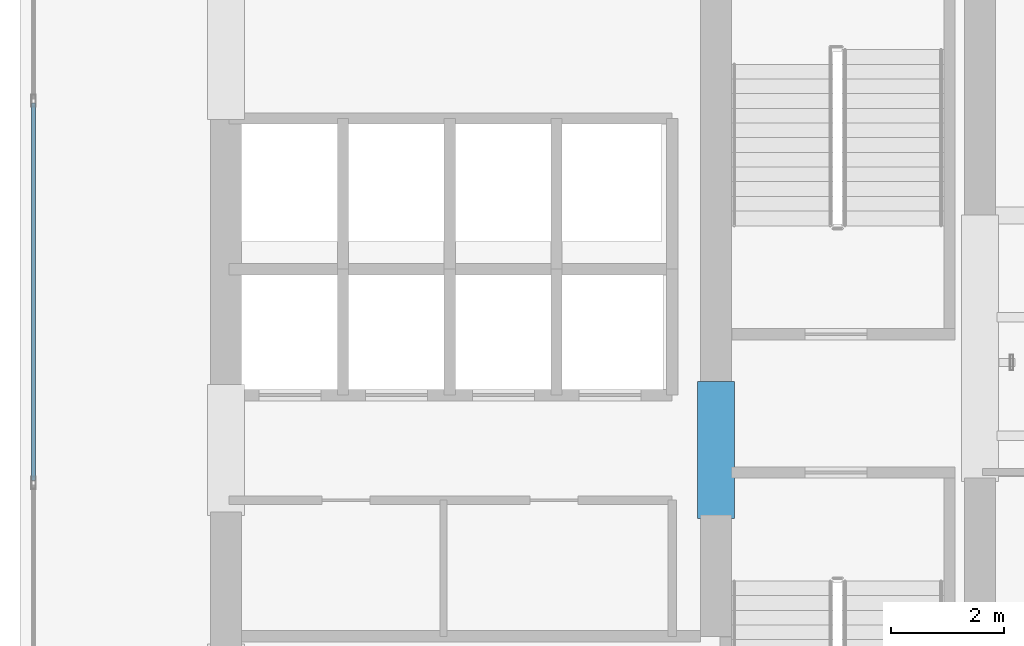
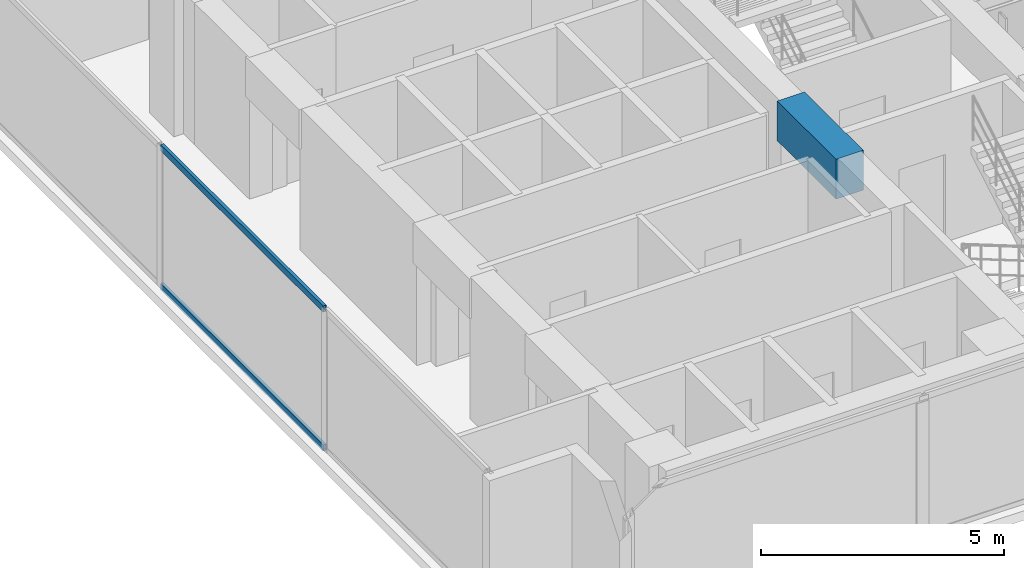
# One storey, part 3 of 23: 2 members, 1 beam, 1 element without a shape of its own.
"""IFC4 building model written with IfcOpenShell, lengths in metres."""

from ifc_helpers import new_model, si_unit, direction, frame, origin, origin_with_axes, origin_2d, place, context, subcontext, project, spatial, rectangle, hollow_rectangle, extrude, source, transform, mapped, material, layer, layer_set, material_profile, profile_set, type_object, element, aggregate, save


model = new_model("IFC4")

# Units and contexts
model_context = context("Model", 3, precision=1e-05, world=origin(), true_north=direction((0.0, 1.0)))
body_context = subcontext(model_context, "Body", "Model", "MODEL_VIEW")
ifc_project = project(units=[si_unit("LENGTHUNIT", "METRE"), si_unit("AREAUNIT", "SQUARE_METRE"), si_unit("VOLUMEUNIT", "CUBIC_METRE"), si_unit("PLANEANGLEUNIT", "RADIAN"), si_unit("MASSUNIT", "GRAM", prefix="KILO")], contexts=[model_context])

# Site, building, storey
site_placement = place(None, origin())
site = spatial("IfcSite", under=ifc_project, at=site_placement, CompositionType="ELEMENT")
building_placement = place(site_placement, origin())
building = spatial("IfcBuilding", under=site, at=building_placement, Name="Kolvaren Waterfront Exchange", CompositionType="ELEMENT")
storey_placement = place(building_placement, frame((0.0, 0.0, 215.89990234375)))
storey = spatial("IfcBuildingStorey", under=building, at=storey_placement, Name="L55", CompositionType="ELEMENT", Elevation=215.89990234375)

# Beam
ifc_material_1 = material(Name="Concrete C60/75", Category="concrete")
ifc_material_profile_1 = material_profile(ifc_material_1, rectangle(XDim=0.64990234375, YDim=1.0, at=origin_2d()), Name="RC-CB-1000x650")
ifc_profile_set_1 = profile_set([ifc_material_profile_1], Name="Concrete C60/75")
beam_type = type_object("IfcBeamType", Name="STR-CB-1000", PredefinedType="SPANDREL", material=ifc_profile_set_1)
beam_placement = place(storey_placement, frame((16.125, 12.0400390625, 3.06005859375), z_axis=(0.0, 1.0, 0.0), x_axis=(-1.0, 0.0, 0.0)))
element("IfcBeam", 1, at=beam_placement, inside=storey, type_object=beam_type, Name="L55 core coupling beam 6", PredefinedType="SPANDREL", context=body_context, shape_type="SweptSolid", body=[
    extrude(rectangle(XDim=0.64990234375, YDim=1.0, at=origin_2d()), origin(), (0.0, 0.0, 1.0), 2.419921875),
])

# Curtain wall, members
ifc_material_2 = material(Name="Anodised aluminium 6063-T6", Category="aluminium")
ifc_layer = layer(ifc_material_2, 0.219970703125, Name="Anodised aluminium 6063-T6")
ifc_layer_set = layer_set([ifc_layer], Name="Anodised aluminium 6063-T6")
curtain_wall_type = type_object("IfcCurtainWallType", Name="ARC-CW-SYS2", PredefinedType="USERDEFINED", material=ifc_layer_set)
curtain_wall_placement = place(storey_placement, origin())
curtain_wall = element("IfcCurtainWall", 2, at=curtain_wall_placement, inside=storey, type_object=curtain_wall_type, Name="L55 stick curtain wall CW2 (CW-L55-W)", ObjectType="STICK CURTAIN WALL", PredefinedType="USERDEFINED")
ifc_material_profile_2 = material_profile(ifc_material_2, hollow_rectangle(XDim=0.074951171875, YDim=0.159912109375, WallThickness=0.00439453125, at=origin_2d()), Name="ALU-TRN-160x75x4.5")
ifc_profile_set_2 = profile_set([ifc_material_profile_2], Name="Anodised aluminium 6063-T6")
member_type = type_object("IfcMemberType", Name="ARC-CWT-160", PredefinedType="USERDEFINED", material=ifc_profile_set_2)
shared_shape = source(origin_with_axes(), body_context, "Body", "SweptSolid", [
    extrude(hollow_rectangle(XDim=0.074951171875, YDim=0.159912109375, WallThickness=0.00439453125, at=origin_2d()), origin(), (0.0, 0.0, 1.0), 6.6865234375),
])
member_1_placement = place(storey_placement, frame((4.0400390625, 12.706787109375, 0.03759765625), z_axis=(0.0, 1.0, 0.0), x_axis=(-1.0, 0.0, 0.0)))
member_1 = element("IfcMember", 3, at=member_1_placement, type_object=member_type, Name="CW2 transom 2.1", ObjectType="TRANSOM", PredefinedType="USERDEFINED", context=body_context, shape_type="MappedRepresentation", body=[
    mapped(shared_shape, transform((0.0, 0.0, 0.0), x_axis=(1.0, 0.0, 0.0), y_axis=(0.0, 1.0, 0.0), z_axis=(0.0, 0.0, 1.0), scale=1.0)),
])
member_2_placement = place(storey_placement, frame((4.0400390625, 12.706787109375, 3.522705078125), z_axis=(0.0, 1.0, 0.0), x_axis=(-1.0, 0.0, 0.0)))
member_2 = element("IfcMember", 4, at=member_2_placement, type_object=member_type, Name="CW2 transom 2.2", ObjectType="TRANSOM", PredefinedType="USERDEFINED", context=body_context, shape_type="MappedRepresentation", body=[
    mapped(shared_shape, transform((0.0, 0.0, 0.0), x_axis=(1.0, 0.0, 0.0), y_axis=(0.0, 1.0, 0.0), z_axis=(0.0, 0.0, 1.0), scale=1.0)),
])
aggregate(curtain_wall, [member_1, member_2])

save(model, "model.ifc")
